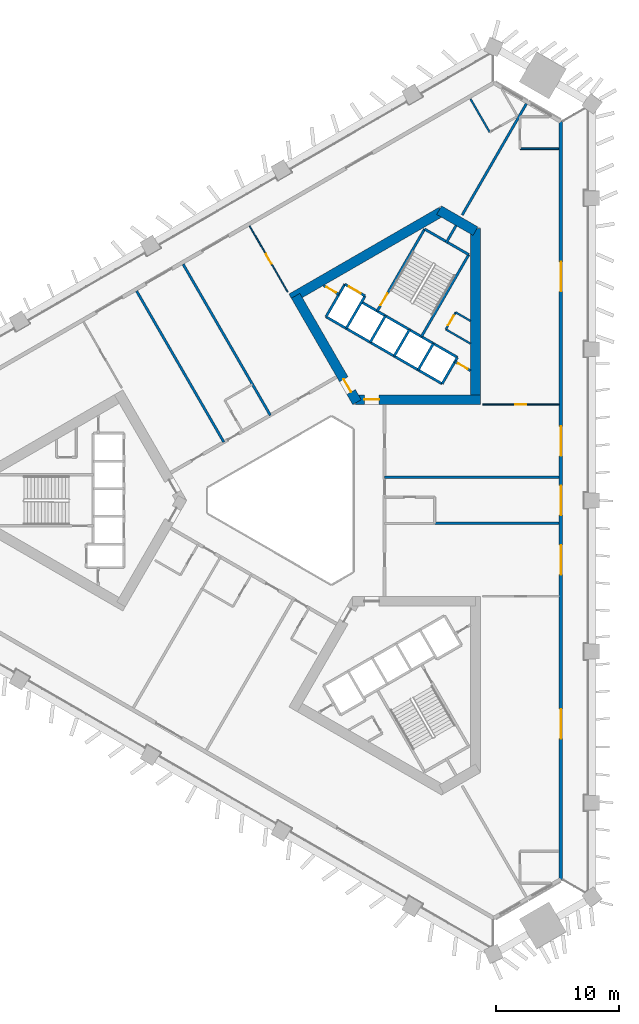
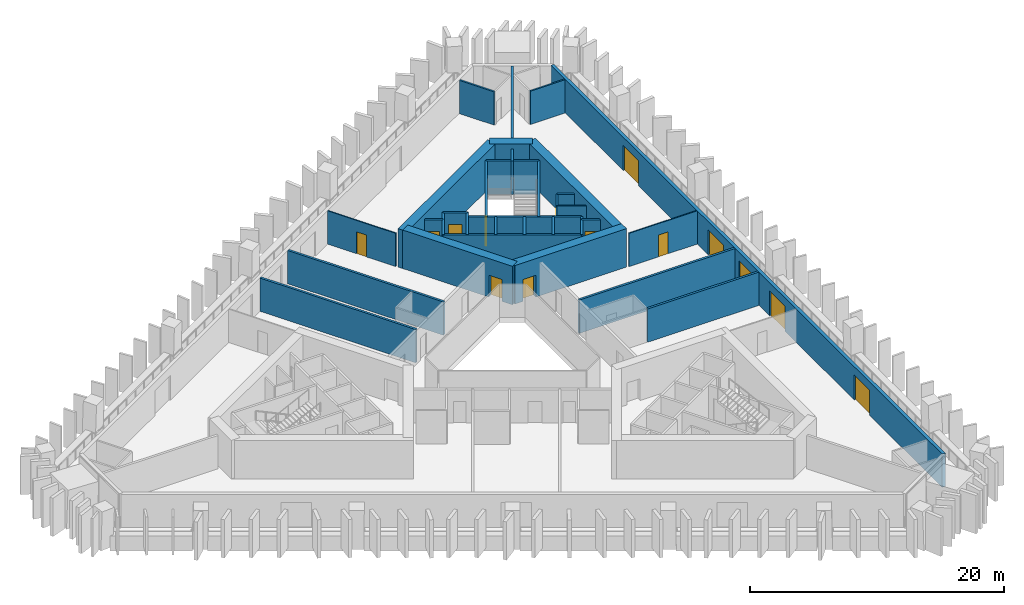
# One storey, part 5 of 10: 33 walls, 14 doors, 14 openings.
"""IFC4 building model written with IfcOpenShell, lengths in metres."""

from ifc_helpers import new_model, si_unit, direction, frame, frame_2d, origin, place, context, subcontext, project, spatial, rectangle, extrude, material, layer, layer_set, type_object, element, fill, save


model = new_model("IFC4")

# Units and contexts
model_context = context("Model", 3, precision=1e-05, world=origin(), true_north=direction((0.0, 1.0)))
body_context = subcontext(model_context, "Body", "Model", "MODEL_VIEW")
ifc_project = project(units=[si_unit("LENGTHUNIT", "METRE"), si_unit("AREAUNIT", "SQUARE_METRE"), si_unit("VOLUMEUNIT", "CUBIC_METRE"), si_unit("PLANEANGLEUNIT", "RADIAN"), si_unit("MASSUNIT", "GRAM", prefix="KILO")], contexts=[model_context])

# Site, building, storey
site_placement = place(None, origin())
site = spatial("IfcSite", under=ifc_project, at=site_placement, CompositionType="ELEMENT")
building_placement = place(site_placement, origin())
building = spatial("IfcBuilding", under=site, at=building_placement, Name="Jabali Bay Hotel Tower and Convention Centre", CompositionType="ELEMENT")
storey_placement = place(building_placement, frame((0.0, 0.0, 33.699951171875)))
storey = spatial("IfcBuildingStorey", under=building, at=storey_placement, Name="L06", CompositionType="ELEMENT", Elevation=33.699951171875)

# Wall
ifc_material_1 = material(Name="Concrete C40", Category="concrete")
ifc_layer_1 = layer(ifc_material_1, 0.199951171875)
ifc_layer_set_1 = layer_set([ifc_layer_1], Name="Concrete C40")
wall_type_1 = type_object("IfcWallType", Name="Core partition wall 200", PredefinedType="PARTITIONING", material=ifc_layer_set_1)
wall_1_placement = place(storey_placement, frame((87.090087890625, 100.9404296875, 0.0), z_axis=(0.0, 0.0, 1.0), x_axis=(0.499956811548, 0.866050337213, 0.0)))
element("IfcWall", 1, at=wall_1_placement, inside=storey, type_object=wall_type_1, Name="Core wall 1.5 L06", PredefinedType="PARTITIONING", context=body_context, shape_type="SweptSolid", body=[
    extrude(rectangle(XDim=1.623291015625, YDim=0.199951171875, at=frame_2d((0.8115234375, 0.0))), origin(), (0.0, 0.0, 1.0), 3.199951171875),
])

# Wall, opening, door
wall_2_placement = place(storey_placement, frame((89.080078125, 90.553955078125, 0.0), z_axis=(0.0, 0.0, 1.0), x_axis=(-0.866022048785, 0.500005810984, 0.0)))
wall_2 = element("IfcWall", 2, at=wall_2_placement, inside=storey, type_object=wall_type_1, Name="Core wall 1.11 L06", PredefinedType="PARTITIONING", context=body_context, shape_type="SweptSolid", body=[
    extrude(rectangle(XDim=1.466796875, YDim=0.199951171875, at=frame_2d((0.7333984375, 0.0))), origin(), (0.0, 0.0, 1.0), 3.199951171875),
])
opening_1_placement = place(wall_2_placement, frame((0.283447265625, 0.0, 0.0)))
opening_1 = element("IfcOpeningElement", 3, at=opening_1_placement, cuts=wall_2, Name="Opening D225", PredefinedType="OPENING", context=body_context, shape_type="SweptSolid", body=[
    extrude(rectangle(XDim=0.89990234375, YDim=2.10009765625, at=frame_2d((0.449951171875, 1.050048828125))), frame((0.0, 0.1103515625, 0.0), z_axis=(0.0, -1.0, 0.0), x_axis=(1.0, 0.0, 0.0)), (0.0, 0.0, 1.0), 0.220947265625),
])
ifc_material_2 = material(Name="Fire-rated steel door", Category="steel")
door_type_1 = type_object("IfcDoorType", Name="Vestibule fire door 900 x 2100", OperationType="NOTDEFINED", PredefinedType="NOTDEFINED", material=ifc_material_2)
door_1_placement = place(opening_1_placement, origin())
door_1 = element("IfcDoor", 4, at=door_1_placement, inside=storey, type_object=door_type_1, Name="Vestibule fire door D225", OperationType="SINGLE_SWING_LEFT", OverallHeight=2.10009765625, OverallWidth=0.89990234375, PredefinedType="NOTDEFINED", context=body_context, shape_type="SweptSolid", body=[
    extrude(rectangle(XDim=0.89990234375, YDim=2.10009765625, at=frame_2d((0.449951171875, 1.050048828125))), frame((0.0, 0.02490234375, 0.0), z_axis=(0.0, -1.0, 0.0), x_axis=(1.0, 0.0, 0.0)), (0.0, 0.0, 1.0), 0.050048828125),
])
fill(opening_1, door_1)

wall_3_placement = place(storey_placement, frame((78.380126953125, 96.754638671875, 0.0), z_axis=(0.0, 0.0, 1.0), x_axis=(-0.866003949776, 0.500037157592, 0.0)))
wall_3 = element("IfcWall", 5, at=wall_3_placement, inside=storey, type_object=wall_type_1, Name="Core wall 1.12 L06", PredefinedType="PARTITIONING", context=body_context, shape_type="SweptSolid", body=[
    extrude(rectangle(XDim=1.455078125, YDim=0.199951171875, at=frame_2d((0.7275390625, 0.0))), origin(), (0.0, 0.0, 1.0), 3.199951171875),
])
opening_2_placement = place(wall_3_placement, frame((0.277587890625, 0.0, 0.0)))
opening_2 = element("IfcOpeningElement", 6, at=opening_2_placement, cuts=wall_3, Name="Opening D224", PredefinedType="OPENING", context=body_context, shape_type="SweptSolid", body=[
    extrude(rectangle(XDim=0.89990234375, YDim=2.10009765625, at=frame_2d((0.449951171875, 1.050048828125))), frame((0.0, 0.1103515625, 0.0), z_axis=(0.0, -1.0, 0.0), x_axis=(1.0, 0.0, 0.0)), (0.0, 0.0, 1.0), 0.220947265625),
])
door_2_placement = place(opening_2_placement, origin())
door_2 = element("IfcDoor", 7, at=door_2_placement, inside=storey, type_object=door_type_1, Name="Vestibule fire door D224", OperationType="SINGLE_SWING_LEFT", OverallHeight=2.10009765625, OverallWidth=0.89990234375, PredefinedType="NOTDEFINED", context=body_context, shape_type="SweptSolid", body=[
    extrude(rectangle(XDim=0.89990234375, YDim=2.10009765625, at=frame_2d((0.449951171875, 1.050048828125))), frame((0.0, 0.02490234375, 0.0), z_axis=(0.0, -1.0, 0.0), x_axis=(1.0, 0.0, 0.0)), (0.0, 0.0, 1.0), 0.050048828125),
])
fill(opening_2, door_2)

ifc_material_3 = material(Name="Fire-rated board partition")
ifc_layer_2 = layer(ifc_material_3, 0.14990234375)
ifc_layer_set_2 = layer_set([ifc_layer_2], Name="Fire-rated board partition")
wall_type_2 = type_object("IfcWallType", Name="Core room partition 150", PredefinedType="PARTITIONING", material=ifc_layer_set_2)
wall_4_placement = place(storey_placement, frame((87.071044921875, 93.90771484375, 0.0), z_axis=(0.0, 0.0, 1.0), x_axis=(0.499995408039, 0.866028054938, 0.0)))
wall_4 = element("IfcWall", 8, at=wall_4_placement, inside=storey, type_object=wall_type_2, Name="Core wall 1.1 L06", PredefinedType="PARTITIONING", context=body_context, shape_type="SweptSolid", body=[
    extrude(rectangle(XDim=1.60009765625, YDim=0.14990234375, at=frame_2d((0.800048828125, 0.0))), origin(), (0.0, 0.0, 1.0), 3.199951171875),
])
opening_3_placement = place(wall_4_placement, frame((0.387451171875, 0.0, 0.0)))
opening_3 = element("IfcOpeningElement", 9, at=opening_3_placement, cuts=wall_4, Name="Opening D227", PredefinedType="OPENING", context=body_context, shape_type="SweptSolid", body=[
    extrude(rectangle(XDim=0.89990234375, YDim=2.10009765625, at=frame_2d((0.449951171875, 1.050048828125))), frame((0.0, 0.08544921875, 0.0), z_axis=(0.0, -1.0, 0.0), x_axis=(1.0, 0.0, 0.0)), (0.0, 0.0, 1.0), 0.1708984375),
])
door_type_2 = type_object("IfcDoorType", Name="Core room door 900 x 2100", OperationType="NOTDEFINED", PredefinedType="NOTDEFINED", material=ifc_material_2)
door_3_placement = place(opening_3_placement, origin())
door_3 = element("IfcDoor", 10, at=door_3_placement, inside=storey, type_object=door_type_2, Name="Core room door D227", OperationType="SINGLE_SWING_LEFT", OverallHeight=2.10009765625, OverallWidth=0.89990234375, PredefinedType="NOTDEFINED", context=body_context, shape_type="SweptSolid", body=[
    extrude(rectangle(XDim=0.89990234375, YDim=2.10009765625, at=frame_2d((0.449951171875, 1.050048828125))), frame((0.0, 0.02490234375, 0.0), z_axis=(0.0, -1.0, 0.0), x_axis=(1.0, 0.0, 0.0)), (0.0, 0.0, 1.0), 0.050048828125),
])
fill(opening_3, door_3)

# Walls
wall_5_placement = place(storey_placement, frame((89.080078125, 92.747802734375, 0.0), z_axis=(0.0, 0.0, 1.0), x_axis=(-0.866026103983, 0.499998787219, 0.0)))
element("IfcWall", 11, at=wall_5_placement, inside=storey, type_object=wall_type_2, Name="Core wall 1.15 L06", PredefinedType="PARTITIONING", context=body_context, shape_type="SweptSolid", body=[
    extrude(rectangle(XDim=2.31982421875, YDim=0.14990234375, at=frame_2d((1.159912109375, 0.0))), origin(), (0.0, 0.0, 1.0), 3.199951171875),
])
wall_6_placement = place(storey_placement, frame((89.080078125, 94.595458984375, 0.0), z_axis=(0.0, 0.0, 1.0), x_axis=(-0.866028321769, 0.499994945868, 0.0)))
element("IfcWall", 12, at=wall_6_placement, inside=storey, type_object=wall_type_2, Name="Core wall 1.16 L06", PredefinedType="PARTITIONING", context=body_context, shape_type="SweptSolid", body=[
    extrude(rectangle(XDim=1.39599609375, YDim=0.14990234375, at=frame_2d((0.697998046875, 0.0))), origin(), (0.0, 0.0, 1.0), 3.199951171875),
])
ifc_layer_3 = layer(ifc_material_1, 0.199951171875)
ifc_layer_set_3 = layer_set([ifc_layer_3], Name="Concrete C40")
wall_type_3 = type_object("IfcWallType", Name="Core stair wall 200", PredefinedType="SOLIDWALL", material=ifc_layer_set_3)
for number, where, z_axis, x_axis, name in (
    (13, (86.769775390625, 89.48583984375, 0.0), (0.0, 0.0, 1.0), (0.499961042966, 0.86604789447, 0.0), "Core wall 1.0 L06"),
    (14, (84.8212890625, 90.61083984375, 0.0), (0.0, 0.0, 1.0), (0.499961042966, 0.86604789447, 0.0), "Core wall 1.2 L06"),
):
    element("IfcWall", number, at=place(storey_placement, frame(where, z_axis=z_axis, x_axis=x_axis)), inside=storey, type_object=wall_type_3, Name=name, PredefinedType="SOLIDWALL", context=body_context, shape_type="SweptSolid", body=[
        extrude(rectangle(XDim=2.480224609375, YDim=0.199951171875, at=frame_2d((1.240234375, 0.0))), origin(), (0.0, 0.0, 1.0), 3.199951171875),
    ])
wall_7_placement = place(storey_placement, frame((85.0869140625, 93.3212890625, 0.0), z_axis=(0.0, 0.0, 1.0), x_axis=(0.500019787375, 0.866013979237, 0.0)))
element("IfcWall", 15, at=wall_7_placement, inside=storey, type_object=wall_type_3, Name="Core wall 1.3 L06", PredefinedType="SOLIDWALL", context=body_context, shape_type="SweptSolid", body=[
    extrude(rectangle(XDim=7.699951171875, YDim=0.199951171875, at=frame_2d((3.85009765625, 0.0))), origin(), (0.0, 0.0, 1.0), 3.199951171875),
])
for number, where, z_axis, x_axis, name in (
    (16, (82.872802734375, 91.73583984375, 0.0), (0.0, 0.0, 1.0), (0.499961042966, 0.86604789447, 0.0), "Core wall 1.4 L06"),
    (17, (80.924072265625, 92.86083984375, 0.0), (0.0, 0.0, 1.0), (0.499961042966, 0.86604789447, 0.0), "Core wall 1.6 L06"),
):
    element("IfcWall", number, at=place(storey_placement, frame(where, z_axis=z_axis, x_axis=x_axis)), inside=storey, type_object=wall_type_3, Name=name, PredefinedType="SOLIDWALL", context=body_context, shape_type="SweptSolid", body=[
        extrude(rectangle(XDim=2.480224609375, YDim=0.199951171875, at=frame_2d((1.240234375, 0.0))), origin(), (0.0, 0.0, 1.0), 3.199951171875),
    ])

# Wall, opening, door
wall_8_placement = place(storey_placement, frame((81.492919921875, 95.396240234375, 0.0), z_axis=(0.0, 0.0, 1.0), x_axis=(0.500006057782, 0.866021906294, 0.0)))
wall_8 = element("IfcWall", 18, at=wall_8_placement, inside=storey, type_object=wall_type_3, Name="Core wall 1.7 L06", PredefinedType="SOLIDWALL", context=body_context, shape_type="SweptSolid", body=[
    extrude(rectangle(XDim=7.7001953125, YDim=0.199951171875, at=frame_2d((3.85009765625, 0.0))), origin(), (0.0, 0.0, 1.0), 3.199951171875),
])
opening_4_placement = place(wall_8_placement, frame((0.550048828125, 0.0, 0.0)))
opening_4 = element("IfcOpeningElement", 19, at=opening_4_placement, cuts=wall_8, Name="Opening D226", PredefinedType="OPENING", context=body_context, shape_type="SweptSolid", body=[
    extrude(rectangle(XDim=1.10009765625, YDim=2.10009765625, at=frame_2d((0.550048828125, 1.050048828125))), frame((0.0, 0.1103515625, 0.0), z_axis=(0.0, -1.0, 0.0), x_axis=(1.0, 0.0, 0.0)), (0.0, 0.0, 1.0), 0.220947265625),
])
door_type_3 = type_object("IfcDoorType", Name="Stair fire door 1100 x 2100", OperationType="NOTDEFINED", PredefinedType="NOTDEFINED", material=ifc_material_2)
door_4_placement = place(opening_4_placement, origin())
door_4 = element("IfcDoor", 20, at=door_4_placement, inside=storey, type_object=door_type_3, Name="Stair fire door D226", OperationType="SINGLE_SWING_RIGHT", OverallHeight=2.10009765625, OverallWidth=1.10009765625, PredefinedType="NOTDEFINED", context=body_context, shape_type="SweptSolid", body=[
    extrude(rectangle(XDim=1.10009765625, YDim=2.10009765625, at=frame_2d((0.550048828125, 1.050048828125))), frame((0.0, 0.02490234375, 0.0), z_axis=(0.0, -1.0, 0.0), x_axis=(1.0, 0.0, 0.0)), (0.0, 0.0, 1.0), 0.050048828125),
])
fill(opening_4, door_4)

# Walls
for number, where, z_axis, x_axis, name in (
    (21, (78.9755859375, 93.98583984375, 0.0), (0.0, 0.0, 1.0), (0.499944174705, 0.866057632134, 0.0), "Core wall 1.8 L06"),
    (22, (77.330078125, 94.93603515625, 0.0), (0.0, 0.0, 1.0), (0.500038867431, 0.8660029625, 0.0), "Core wall 1.9 L06"),
):
    element("IfcWall", number, at=place(storey_placement, frame(where, z_axis=z_axis, x_axis=x_axis)), inside=storey, type_object=wall_type_3, Name=name, PredefinedType="SOLIDWALL", context=body_context, shape_type="SweptSolid", body=[
        extrude(rectangle(XDim=3.050048828125, YDim=0.199951171875, at=frame_2d((1.52490234375, 0.0))), origin(), (0.0, 0.0, 1.0), 3.199951171875),
    ])
wall_9_placement = place(storey_placement, frame((86.769775390625, 89.48583984375, 0.0), z_axis=(0.0, 0.0, 1.0), x_axis=(-0.86601811187, 0.500012629753, 0.0)))
element("IfcWall", 23, at=wall_9_placement, inside=storey, type_object=wall_type_3, Name="Core wall 1.10 L06", PredefinedType="SOLIDWALL", context=body_context, shape_type="SweptSolid", body=[
    extrude(rectangle(XDim=10.900146484375, YDim=0.199951171875, at=frame_2d((5.4501953125, 0.0))), origin(), (0.0, 0.0, 1.0), 3.199951171875),
])
wall_10_placement = place(storey_placement, frame((88.009765625, 91.6337890625, 0.0), z_axis=(0.0, 0.0, 1.0), x_axis=(-0.866024315419, 0.5000018851, 0.0)))
element("IfcWall", 24, at=wall_10_placement, inside=storey, type_object=wall_type_3, Name="Core wall 1.13 L06", PredefinedType="SOLIDWALL", context=body_context, shape_type="SweptSolid", body=[
    extrude(rectangle(XDim=9.0, YDim=0.199951171875, at=frame_2d((4.5, 0.0))), origin(), (0.0, 0.0, 1.0), 3.199951171875),
])

# Wall, opening, door
wall_11_placement = place(storey_placement, frame((80.50048828125, 96.62744140625, 0.0), z_axis=(0.0, 0.0, 1.0), x_axis=(-0.86601224135, 0.500022797313, 0.0)))
wall_11 = element("IfcWall", 25, at=wall_11_placement, inside=storey, type_object=wall_type_3, Name="Core wall 1.14 L06", PredefinedType="SOLIDWALL", context=body_context, shape_type="SweptSolid", body=[
    extrude(rectangle(XDim=1.89990234375, YDim=0.199951171875, at=frame_2d((0.949951171875, 0.0))), origin(), (0.0, 0.0, 1.0), 3.199951171875),
])
opening_5_placement = place(wall_11_placement, frame((0.39990234375, 0.0, 0.0)))
opening_5 = element("IfcOpeningElement", 26, at=opening_5_placement, cuts=wall_11, Name="Opening LD10-L06", PredefinedType="OPENING", context=body_context, shape_type="SweptSolid", body=[
    extrude(rectangle(XDim=1.10009765625, YDim=2.10009765625, at=frame_2d((0.550048828125, 1.050048828125))), frame((0.0, 0.1103515625, 0.0), z_axis=(0.0, -1.0, 0.0), x_axis=(1.0, 0.0, 0.0)), (0.0, 0.0, 1.0), 0.220947265625),
])
ifc_material_4 = material(Name="Stainless steel landing door", Category="steel")
door_type_4 = type_object("IfcDoorType", Name="Landing door 1100 x 2100", OperationType="NOTDEFINED", PredefinedType="NOTDEFINED", material=ifc_material_4)
door_5_placement = place(opening_5_placement, origin())
door_5 = element("IfcDoor", 27, at=door_5_placement, inside=storey, type_object=door_type_4, Name="Landing doors LD10-L06", OperationType="SLIDING_TO_RIGHT", OverallHeight=2.10009765625, OverallWidth=1.10009765625, PredefinedType="NOTDEFINED", context=body_context, shape_type="SweptSolid", body=[
    extrude(rectangle(XDim=1.10009765625, YDim=2.10009765625, at=frame_2d((0.550048828125, 1.050048828125))), frame((0.0, 0.02490234375, 0.0), z_axis=(0.0, -1.0, 0.0), x_axis=(1.0, 0.0, 0.0)), (0.0, 0.0, 1.0), 0.050048828125),
])
fill(opening_5, door_5)

# Wall
wall_12_placement = place(storey_placement, frame((88.93701171875, 99.989501953125, 0.0), z_axis=(0.0, 0.0, 1.0), x_axis=(-0.866004344652, 0.500036473714, 0.0)))
element("IfcWall", 28, at=wall_12_placement, inside=storey, type_object=wall_type_3, Name="Core wall 1.17 L06", PredefinedType="SOLIDWALL", context=body_context, shape_type="SweptSolid", body=[
    extrude(rectangle(XDim=4.150146484375, YDim=0.199951171875, at=frame_2d((2.0751953125, 0.0))), origin(), (0.0, 0.0, 1.0), 3.199951171875),
])

# Wall, opening, door
ifc_material_5 = material(Name="Concrete C60", Category="concrete")
ifc_layer_4 = layer(ifc_material_5, 0.800048828125)
ifc_layer_set_4 = layer_set([ifc_layer_4], Name="Concrete C60")
wall_type_4 = type_object("IfcWallType", Name="Core wall 800", PredefinedType="SHEAR", material=ifc_layer_set_4)
wall_13_placement = place(storey_placement, frame((79.73095703125, 88.1943359375, 0.0), z_axis=(0.0, 0.0, 1.0), x_axis=(1.0, 0.0, 0.0)))
wall_13 = element("IfcWall", 29, at=wall_13_placement, inside=storey, type_object=wall_type_4, Name="Core wall 2.1 L06", PredefinedType="SHEAR", context=body_context, shape_type="SweptSolid", body=[
    extrude(rectangle(XDim=10.14892578125, YDim=0.800048828125, at=frame_2d((5.074462890625, 0.0))), origin(), (0.0, 0.0, 1.0), 3.699951171875),
])
opening_6_placement = place(wall_13_placement, frame((0.718994140625, 0.0, 0.0)))
opening_6 = element("IfcOpeningElement", 30, at=opening_6_placement, cuts=wall_13, Name="Opening D222", PredefinedType="OPENING", context=body_context, shape_type="SweptSolid", body=[
    extrude(rectangle(XDim=1.199951171875, YDim=2.10009765625, at=frame_2d((0.60009765625, 1.050048828125))), frame((0.0, 0.41064453125, 0.0), z_axis=(0.0, -1.0, 0.0), x_axis=(1.0, 0.0, 0.0)), (0.0, 0.0, 1.0), 0.821044921875),
])
door_type_5 = type_object("IfcDoorType", Name="Corridor end fire door 1200 x 2100", OperationType="NOTDEFINED", PredefinedType="NOTDEFINED", material=ifc_material_2)
door_6_placement = place(opening_6_placement, origin())
door_6 = element("IfcDoor", 31, at=door_6_placement, inside=storey, type_object=door_type_5, Name="Corridor end fire door D222", OperationType="SINGLE_SWING_RIGHT", OverallHeight=2.10009765625, OverallWidth=1.199951171875, PredefinedType="NOTDEFINED", context=body_context, shape_type="SweptSolid", body=[
    extrude(rectangle(XDim=1.199951171875, YDim=2.10009765625, at=frame_2d((0.60009765625, 1.050048828125))), frame((0.0, 0.02490234375, 0.0), z_axis=(0.0, -1.0, 0.0), x_axis=(1.0, 0.0, 0.0)), (0.0, 0.0, 1.0), 0.050048828125),
])
fill(opening_6, door_6)

# Walls
wall_14_placement = place(storey_placement, frame((89.47998046875, 88.1943359375, 0.0), z_axis=(0.0, 0.0, 1.0), x_axis=(0.0, 1.0, 0.0)))
element("IfcWall", 32, at=wall_14_placement, inside=storey, type_object=wall_type_4, Name="Core wall 2.2 L06", PredefinedType="SHEAR", context=body_context, shape_type="SweptSolid", body=[
    extrude(rectangle(XDim=13.933349609375, YDim=0.800048828125, at=frame_2d((6.966796875, 0.0))), origin(), (0.0, 0.0, 1.0), 3.699951171875),
])
wall_15_placement = place(storey_placement, frame((89.47998046875, 101.896728515625, 0.0), z_axis=(0.0, 0.0, 1.0), x_axis=(-0.866034355626, 0.499984494636, 0.0)))
element("IfcWall", 33, at=wall_15_placement, inside=storey, type_object=wall_type_4, Name="Core wall 2.3 L06", PredefinedType="SHEAR", context=body_context, shape_type="SweptSolid", body=[
    extrude(rectangle(XDim=3.4140625, YDim=0.800048828125, at=frame_2d((1.70703125, 0.0))), origin(), (0.0, 0.0, 1.0), 3.699951171875),
])
wall_16_placement = place(storey_placement, frame((86.72314453125, 103.48828125, 0.0), z_axis=(0.0, 0.0, 1.0), x_axis=(-0.866032504327, -0.499987701298, 0.0)))
element("IfcWall", 34, at=wall_16_placement, inside=storey, type_object=wall_type_4, Name="Core wall 2.4 L06", PredefinedType="SHEAR", context=body_context, shape_type="SweptSolid", body=[
    extrude(rectangle(XDim=14.102294921875, YDim=0.800048828125, at=frame_2d((7.05126953125, 0.0))), origin(), (0.0, 0.0, 1.0), 3.699951171875),
])

# Wall, opening, door
wall_17_placement = place(storey_placement, frame((74.8564453125, 96.63720703125, 0.0), z_axis=(0.0, 0.0, 1.0), x_axis=(0.499993500917, -0.866029155999, 0.0)))
wall_17 = element("IfcWall", 35, at=wall_17_placement, inside=storey, type_object=wall_type_4, Name="Core wall 2.5 L06", PredefinedType="SHEAR", context=body_context, shape_type="SweptSolid", body=[
    extrude(rectangle(XDim=9.980224609375, YDim=0.800048828125, at=frame_2d((4.990234375, 0.0))), origin(), (0.0, 0.0, 1.0), 3.699951171875),
])
opening_7_placement = place(wall_17_placement, frame((7.830078125, 0.0, 0.0)))
opening_7 = element("IfcOpeningElement", 36, at=opening_7_placement, cuts=wall_17, Name="Opening D223", PredefinedType="OPENING", context=body_context, shape_type="SweptSolid", body=[
    extrude(rectangle(XDim=1.199951171875, YDim=2.10009765625, at=frame_2d((0.60009765625, 1.050048828125))), frame((0.0, 0.41064453125, 0.0), z_axis=(0.0, -1.0, 0.0), x_axis=(1.0, 0.0, 0.0)), (0.0, 0.0, 1.0), 0.821044921875),
])
door_7_placement = place(opening_7_placement, origin())
door_7 = element("IfcDoor", 37, at=door_7_placement, inside=storey, type_object=door_type_5, Name="Corridor end fire door D223", OperationType="SINGLE_SWING_LEFT", OverallHeight=2.10009765625, OverallWidth=1.199951171875, PredefinedType="NOTDEFINED", context=body_context, shape_type="SweptSolid", body=[
    extrude(rectangle(XDim=1.199951171875, YDim=2.10009765625, at=frame_2d((0.60009765625, 1.050048828125))), frame((0.0, 0.02490234375, 0.0), z_axis=(0.0, -1.0, 0.0), x_axis=(1.0, 0.0, 0.0)), (0.0, 0.0, 1.0), 0.050048828125),
])
fill(opening_7, door_7)

# Wall, openings, doors
ifc_layer_5 = layer(ifc_material_1, 0.300048828125)
ifc_layer_set_5 = layer_set([ifc_layer_5], Name="Concrete C40")
wall_type_5 = type_object("IfcWallType", Name="External wall 300", PredefinedType="SOLIDWALL", material=ifc_layer_set_5)
wall_18_placement = place(storey_placement, frame((96.42529296875, 110.804931640625, 0.0), z_axis=(0.0, 0.0, 1.0), x_axis=(0.0, -1.0, 0.0)))
wall_18 = element("IfcWall", 38, at=wall_18_placement, inside=storey, type_object=wall_type_5, Name="External wall east face L06", PredefinedType="SOLIDWALL", context=body_context, shape_type="SweptSolid", body=[
    extrude(rectangle(XDim=61.60986328125, YDim=0.300048828125, at=frame_2d((30.804931640625, 0.0))), origin(), (0.0, 0.0, 1.0), 3.199951171875),
])
opening_8_placement = place(wall_18_placement, frame((29.60498046875, 0.0, 0.0)))
opening_8 = element("IfcOpeningElement", 39, at=opening_8_placement, cuts=wall_18, Name="Opening SD1", PredefinedType="OPENING", context=body_context, shape_type="SweptSolid", body=[
    extrude(rectangle(XDim=2.39990234375, YDim=2.39990234375, at=frame_2d((1.199951171875, 1.199951171875))), frame((0.0, 0.16064453125, 0.0), z_axis=(0.0, -1.0, 0.0), x_axis=(1.0, 0.0, 0.0)), (0.0, 0.0, 1.0), 0.321044921875),
])
opening_9_placement = place(wall_18_placement, frame((34.437255859375, 0.0, 0.0)))
opening_9 = element("IfcOpeningElement", 40, at=opening_9_placement, cuts=wall_18, Name="Opening SD1", PredefinedType="OPENING", context=body_context, shape_type="SweptSolid", body=[
    extrude(rectangle(XDim=2.39990234375, YDim=2.39990234375, at=frame_2d((1.199951171875, 1.199951171875))), frame((0.0, 0.16064453125, 0.0), z_axis=(0.0, -1.0, 0.0), x_axis=(1.0, 0.0, 0.0)), (0.0, 0.0, 1.0), 0.321044921875),
])
opening_10_placement = place(wall_18_placement, frame((47.7666015625, 0.0, 0.0)))
opening_10 = element("IfcOpeningElement", 41, at=opening_10_placement, cuts=wall_18, Name="Opening SD1", PredefinedType="OPENING", context=body_context, shape_type="SweptSolid", body=[
    extrude(rectangle(XDim=2.39990234375, YDim=2.39990234375, at=frame_2d((1.199951171875, 1.199951171875))), frame((0.0, 0.16064453125, 0.0), z_axis=(0.0, -1.0, 0.0), x_axis=(1.0, 0.0, 0.0)), (0.0, 0.0, 1.0), 0.321044921875),
])
opening_11_placement = place(wall_18_placement, frame((24.7724609375, 0.0, 0.0)))
opening_11 = element("IfcOpeningElement", 42, at=opening_11_placement, cuts=wall_18, Name="Opening SD1", PredefinedType="OPENING", context=body_context, shape_type="SweptSolid", body=[
    extrude(rectangle(XDim=2.39990234375, YDim=2.39990234375, at=frame_2d((1.199951171875, 1.199951171875))), frame((0.0, 0.16064453125, 0.0), z_axis=(0.0, -1.0, 0.0), x_axis=(1.0, 0.0, 0.0)), (0.0, 0.0, 1.0), 0.321044921875),
])
opening_12_placement = place(wall_18_placement, frame((11.401611328125, 0.0, 0.0)))
opening_12 = element("IfcOpeningElement", 43, at=opening_12_placement, cuts=wall_18, Name="Opening SD1", PredefinedType="OPENING", context=body_context, shape_type="SweptSolid", body=[
    extrude(rectangle(XDim=2.39990234375, YDim=2.39990234375, at=frame_2d((1.199951171875, 1.199951171875))), frame((0.0, 0.16064453125, 0.0), z_axis=(0.0, -1.0, 0.0), x_axis=(1.0, 0.0, 0.0)), (0.0, 0.0, 1.0), 0.321044921875),
])
ifc_material_6 = material(Name="Glass", Category="glass")
door_type_6 = type_object("IfcDoorType", Name="Loggia sliding door 2400 x 2400", OperationType="NOTDEFINED", PredefinedType="NOTDEFINED", material=ifc_material_6)
door_8_placement = place(opening_8_placement, origin())
door_8 = element("IfcDoor", 44, at=door_8_placement, inside=storey, type_object=door_type_6, Name="Loggia sliding door 602", OperationType="SLIDING_TO_LEFT", OverallHeight=2.39990234375, OverallWidth=2.39990234375, PredefinedType="NOTDEFINED", context=body_context, shape_type="SweptSolid", body=[
    extrude(rectangle(XDim=2.39990234375, YDim=2.39990234375, at=frame_2d((1.199951171875, 1.199951171875))), frame((0.0, 0.02490234375, 0.0), z_axis=(0.0, -1.0, 0.0), x_axis=(1.0, 0.0, 0.0)), (0.0, 0.0, 1.0), 0.050048828125),
])
fill(opening_8, door_8)
door_9_placement = place(opening_9_placement, origin())
door_9 = element("IfcDoor", 45, at=door_9_placement, inside=storey, type_object=door_type_6, Name="Loggia sliding door 601", OperationType="SLIDING_TO_RIGHT", OverallHeight=2.39990234375, OverallWidth=2.39990234375, PredefinedType="NOTDEFINED", context=body_context, shape_type="SweptSolid", body=[
    extrude(rectangle(XDim=2.39990234375, YDim=2.39990234375, at=frame_2d((1.199951171875, 1.199951171875))), frame((0.0, 0.02490234375, 0.0), z_axis=(0.0, -1.0, 0.0), x_axis=(1.0, 0.0, 0.0)), (0.0, 0.0, 1.0), 0.050048828125),
])
fill(opening_9, door_9)
door_10_placement = place(opening_10_placement, origin())
door_10 = element("IfcDoor", 46, at=door_10_placement, inside=storey, type_object=door_type_6, Name="Loggia sliding door 601", OperationType="SLIDING_TO_LEFT", OverallHeight=2.39990234375, OverallWidth=2.39990234375, PredefinedType="NOTDEFINED", context=body_context, shape_type="SweptSolid", body=[
    extrude(rectangle(XDim=2.39990234375, YDim=2.39990234375, at=frame_2d((1.199951171875, 1.199951171875))), frame((0.0, 0.02490234375, 0.0), z_axis=(0.0, -1.0, 0.0), x_axis=(1.0, 0.0, 0.0)), (0.0, 0.0, 1.0), 0.050048828125),
])
fill(opening_10, door_10)
door_11_placement = place(opening_11_placement, origin())
door_11 = element("IfcDoor", 47, at=door_11_placement, inside=storey, type_object=door_type_6, Name="Loggia sliding door 603", OperationType="SLIDING_TO_RIGHT", OverallHeight=2.39990234375, OverallWidth=2.39990234375, PredefinedType="NOTDEFINED", context=body_context, shape_type="SweptSolid", body=[
    extrude(rectangle(XDim=2.39990234375, YDim=2.39990234375, at=frame_2d((1.199951171875, 1.199951171875))), frame((0.0, 0.02490234375, 0.0), z_axis=(0.0, -1.0, 0.0), x_axis=(1.0, 0.0, 0.0)), (0.0, 0.0, 1.0), 0.050048828125),
])
fill(opening_11, door_11)
door_12_placement = place(opening_12_placement, origin())
door_12 = element("IfcDoor", 48, at=door_12_placement, inside=storey, type_object=door_type_6, Name="Loggia sliding door 603", OperationType="SLIDING_TO_LEFT", OverallHeight=2.39990234375, OverallWidth=2.39990234375, PredefinedType="NOTDEFINED", context=body_context, shape_type="SweptSolid", body=[
    extrude(rectangle(XDim=2.39990234375, YDim=2.39990234375, at=frame_2d((1.199951171875, 1.199951171875))), frame((0.0, 0.02490234375, 0.0), z_axis=(0.0, -1.0, 0.0), x_axis=(1.0, 0.0, 0.0)), (0.0, 0.0, 1.0), 0.050048828125),
])
fill(opening_12, door_12)

# Wall, opening, door
ifc_material_7 = material(Name="Plasterboard on steel stud", Category="steel")
ifc_layer_6 = layer(ifc_material_7, 0.10009765625)
ifc_layer_set_6 = layer_set([ifc_layer_6], Name="Plasterboard on steel stud")
wall_type_6 = type_object("IfcWallType", Name="Partition 100 unit", PredefinedType="PARTITIONING", material=ifc_layer_set_6)
wall_19_placement = place(storey_placement, frame((96.2763671875, 87.794189453125, 0.0), z_axis=(0.0, 0.0, 1.0), x_axis=(-1.0, 0.0, 0.0)))
wall_19 = element("IfcWall", 49, at=wall_19_placement, inside=storey, type_object=wall_type_6, Name="Partition P02 L06 011", PredefinedType="PARTITIONING", context=body_context, shape_type="SweptSolid", body=[
    extrude(rectangle(XDim=6.197265625, YDim=0.10009765625, at=frame_2d((3.0986328125, 0.0))), origin(), (0.0, 0.0, 1.0), 3.199951171875),
])
opening_13_placement = place(wall_19_placement, frame((2.64892578125, 0.0, 0.0)))
opening_13 = element("IfcOpeningElement", 50, at=opening_13_placement, cuts=wall_19, Name="Opening 0607", PredefinedType="OPENING", context=body_context, shape_type="SweptSolid", body=[
    extrude(rectangle(XDim=0.89990234375, YDim=2.10009765625, at=frame_2d((0.449951171875, 1.050048828125))), frame((0.0, 0.060546875, 0.0), z_axis=(0.0, -1.0, 0.0), x_axis=(1.0, 0.0, 0.0)), (0.0, 0.0, 1.0), 0.12109375),
])
ifc_material_8 = material(Name="Timber", Category="wood")
door_type_7 = type_object("IfcDoorType", Name="Internal door 900 x 2100", OperationType="NOTDEFINED", PredefinedType="NOTDEFINED", material=ifc_material_8)
door_13_placement = place(opening_13_placement, origin())
door_13 = element("IfcDoor", 51, at=door_13_placement, inside=storey, type_object=door_type_7, Name="Door 0607", OperationType="SINGLE_SWING_RIGHT", OverallHeight=2.10009765625, OverallWidth=0.89990234375, PredefinedType="NOTDEFINED", context=body_context, shape_type="SweptSolid", body=[
    extrude(rectangle(XDim=0.89990234375, YDim=2.10009765625, at=frame_2d((0.449951171875, 1.050048828125))), frame((0.0, 0.02490234375, 0.0), z_axis=(0.0, -1.0, 0.0), x_axis=(1.0, 0.0, 0.0)), (0.0, 0.0, 1.0), 0.050048828125),
])
fill(opening_13, door_13)

wall_20_placement = place(storey_placement, frame((74.21044921875, 96.955810546875, 0.0), z_axis=(0.0, 0.0, 1.0), x_axis=(-0.499986163319, 0.866033392248, 0.0)))
wall_20 = element("IfcWall", 52, at=wall_20_placement, inside=storey, type_object=wall_type_6, Name="Partition P02 L06 016", PredefinedType="PARTITIONING", context=body_context, shape_type="SweptSolid", body=[
    extrude(rectangle(XDim=6.197509765625, YDim=0.10009765625, at=frame_2d((3.0986328125, 0.0))), origin(), (0.0, 0.0, 1.0), 3.199951171875),
])
opening_14_placement = place(wall_20_placement, frame((2.64892578125, 0.0, 0.0)))
opening_14 = element("IfcOpeningElement", 53, at=opening_14_placement, cuts=wall_20, Name="Opening 0610", PredefinedType="OPENING", context=body_context, shape_type="SweptSolid", body=[
    extrude(rectangle(XDim=0.89990234375, YDim=2.10009765625, at=frame_2d((0.449951171875, 1.050048828125))), frame((0.0, 0.060546875, 0.0), z_axis=(0.0, -1.0, 0.0), x_axis=(1.0, 0.0, 0.0)), (0.0, 0.0, 1.0), 0.12109375),
])
door_14_placement = place(opening_14_placement, origin())
door_14 = element("IfcDoor", 54, at=door_14_placement, inside=storey, type_object=door_type_7, Name="Door 0610", OperationType="SINGLE_SWING_RIGHT", OverallHeight=2.10009765625, OverallWidth=0.89990234375, PredefinedType="NOTDEFINED", context=body_context, shape_type="SweptSolid", body=[
    extrude(rectangle(XDim=0.89990234375, YDim=2.10009765625, at=frame_2d((0.449951171875, 1.050048828125))), frame((0.0, 0.02490234375, 0.0), z_axis=(0.0, -1.0, 0.0), x_axis=(1.0, 0.0, 0.0)), (0.0, 0.0, 1.0), 0.050048828125),
])
fill(opening_14, door_14)

# Walls
ifc_layer_7 = layer(ifc_material_7, 0.14990234375)
ifc_layer_set_7 = layer_set([ifc_layer_7], Name="Plasterboard on steel stud")
wall_type_7 = type_object("IfcWallType", Name="Partition 150 wet", PredefinedType="PARTITIONING", material=ifc_layer_set_7)
wall_21_placement = place(storey_placement, frame((96.2353515625, 108.59423828125, 0.0), z_axis=(0.0, 0.0, 1.0), x_axis=(-1.0, 0.0, 0.0)))
element("IfcWall", 55, at=wall_21_placement, inside=storey, type_object=wall_type_7, Name="Partition P03 L06 012", PredefinedType="PARTITIONING", context=body_context, shape_type="SweptSolid", body=[
    extrude(rectangle(XDim=3.1337890625, YDim=0.14990234375, at=frame_2d((1.56689453125, 0.0))), origin(), (0.0, 0.0, 1.0), 3.199951171875),
])
wall_22_placement = place(storey_placement, frame((90.640380859375, 109.931884765625, 0.0), z_axis=(0.0, 0.0, 1.0), x_axis=(-0.499951757484, 0.866053254822, 0.0)))
element("IfcWall", 56, at=wall_22_placement, inside=storey, type_object=wall_type_7, Name="Partition P03 L06 020", PredefinedType="PARTITIONING", context=body_context, shape_type="SweptSolid", body=[
    extrude(rectangle(XDim=3.133544921875, YDim=0.14990234375, at=frame_2d((1.56689453125, 0.0))), origin(), (0.0, 0.0, 1.0), 3.199951171875),
])
ifc_layer_8 = layer(ifc_material_7, 0.199951171875)
ifc_layer_set_8 = layer_set([ifc_layer_8], Name="Plasterboard on steel stud")
wall_type_8 = type_object("IfcWallType", Name="Partition 200 party", PredefinedType="PARTITIONING", material=ifc_layer_set_8)
wall_23_placement = place(storey_placement, frame((96.2763671875, 78.12939453125, 0.0), z_axis=(0.0, 0.0, 1.0), x_axis=(-1.0, 0.0, 0.0)))
element("IfcWall", 57, at=wall_23_placement, inside=storey, type_object=wall_type_8, Name="Partition P01 L06 002", PredefinedType="PARTITIONING", context=body_context, shape_type="SweptSolid", body=[
    extrude(rectangle(XDim=10.11328125, YDim=0.199951171875, at=frame_2d((5.056640625, 0.0))), origin(), (0.0, 0.0, 1.0), 3.199951171875),
])
wall_24_placement = place(storey_placement, frame((96.2763671875, 81.87060546875, 0.0), z_axis=(0.0, 0.0, 1.0), x_axis=(-1.0, 0.0, 0.0)))
element("IfcWall", 58, at=wall_24_placement, inside=storey, type_object=wall_type_8, Name="Partition P01 L06 010", PredefinedType="PARTITIONING", context=body_context, shape_type="SweptSolid", body=[
    extrude(rectangle(XDim=14.17626953125, YDim=0.199951171875, at=frame_2d((7.088134765625, 0.0))), origin(), (0.0, 0.0, 1.0), 3.199951171875),
])
wall_25_placement = place(storey_placement, frame((93.620849609375, 112.252197265625, 0.0), z_axis=(0.0, 0.0, 1.0), x_axis=(-0.499992367345, -0.866029810455, 0.0)))
element("IfcWall", 59, at=wall_25_placement, inside=storey, type_object=wall_type_8, Name="Partition P01 L06 015", PredefinedType="PARTITIONING", context=body_context, shape_type="SweptSolid", body=[
    extrude(rectangle(XDim=10.439697265625, YDim=0.199951171875, at=frame_2d((5.2197265625, 0.0))), origin(), (0.0, 0.0, 1.0), 3.199951171875),
])
for number, where, z_axis, x_axis, name in (
    (60, (65.7119140625, 99.205322265625, 0.0), (0.0, 0.0, 1.0), (0.499997249004, -0.866026992067, 0.0), "Partition P01 L06 017"),
    (61, (61.931884765625, 97.02294921875, 0.0), (0.0, 0.0, 1.0), (0.499997249004, -0.866026992067, 0.0), "Partition P01 L06 023"),
):
    element("IfcWall", number, at=place(storey_placement, frame(where, z_axis=z_axis, x_axis=x_axis)), inside=storey, type_object=wall_type_8, Name=name, PredefinedType="PARTITIONING", context=body_context, shape_type="SweptSolid", body=[
        extrude(rectangle(XDim=14.17626953125, YDim=0.199951171875, at=frame_2d((7.088134765625, 0.0))), origin(), (0.0, 0.0, 1.0), 3.199951171875),
    ])

save(model, "model.ifc")
